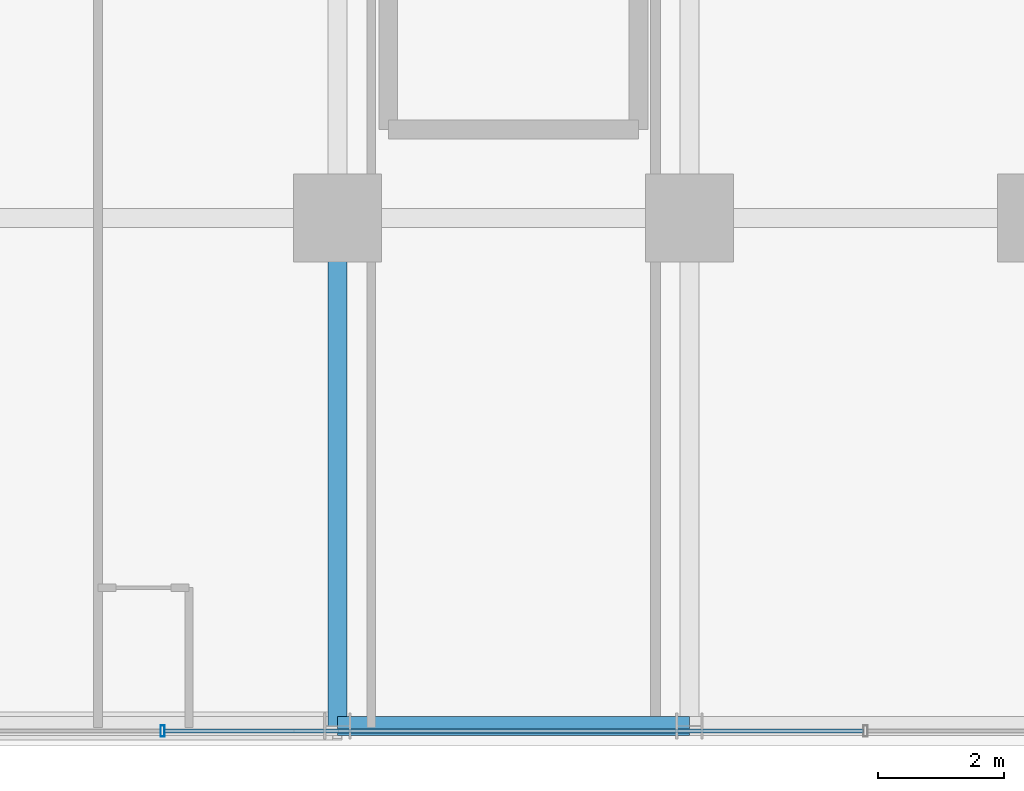
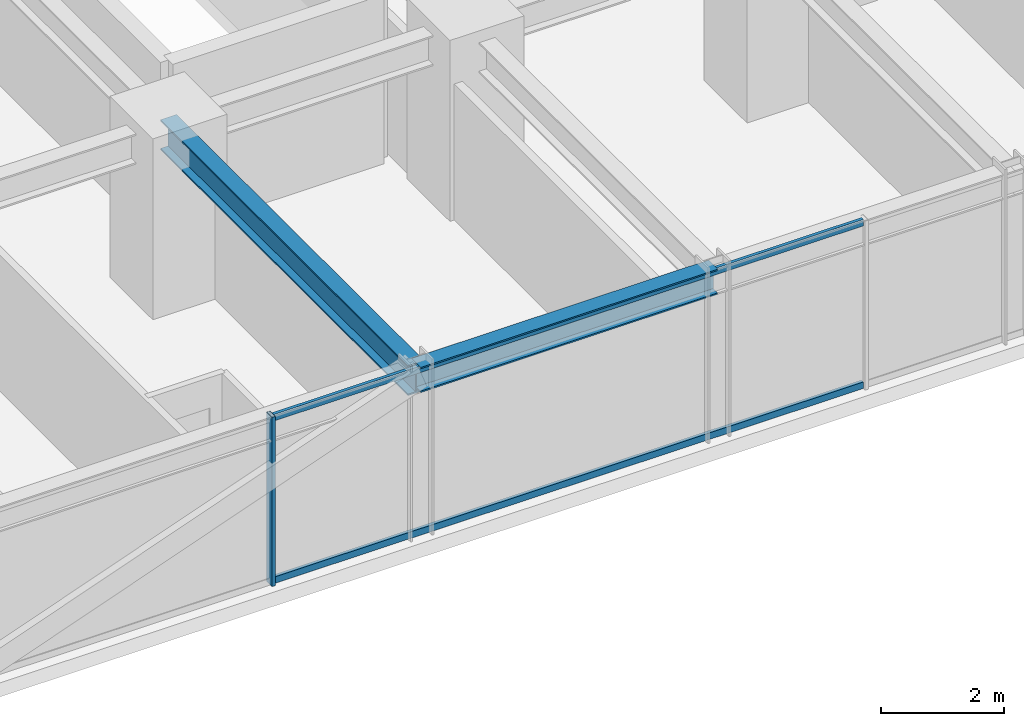
# One storey, part 7 of 36: 3 members, 2 beams, 1 element without a shape of its own.
"""IFC4 building model written with IfcOpenShell, lengths in metres."""

import ifcopenshell
import ifcopenshell.guid

model = None  # the IFC model being written
_history = None  # IfcOwnerHistory: only IFC2X3 demands one
_inside = {}  # id of a spatial element -> (the spatial element, [elements in it])
_under = {}  # id of a project, library or spatial element -> (it, [spatial elements below it])
_declared = {}  # id of a project -> (the project, [libraries it declares])
_typed = {}  # id of a type object -> (the type object, [elements of that type])
_made_of = {}  # id of a material, layer set ... -> (it, [elements and type objects made of it])


def new_model(schema):
    """Start an empty IFC model of exactly this schema.

    Asked for "IFC4X3", IfcOpenShell would pick the latest addendum, in which some entities
    have other attributes; the version numbers below select the first issue.
    IFC2X3 requires an IfcOwnerHistory on every rooted entity: one is made here for all.
    """
    global model, _history
    if schema == "IFC4X3":
        model = ifcopenshell.file(schema_version=(4, 3, 0, 0))
    else:
        model = ifcopenshell.file(schema=schema)
    _inside.clear()
    _under.clear()
    _declared.clear()
    _typed.clear()
    _made_of.clear()
    _history = None
    if model.schema == "IFC2X3":
        org = make("IfcOrganization", Name="unknown")
        user = make(
            "IfcPersonAndOrganization",
            ThePerson=make("IfcPerson", FamilyName="unknown"),
            TheOrganization=org,
        )
        app = make(
            "IfcApplication",
            ApplicationDeveloper=org,
            Version="unknown",
            ApplicationFullName="unknown",
            ApplicationIdentifier="unknown",
        )
        _history = make(
            "IfcOwnerHistory",
            OwningUser=user,
            OwningApplication=app,
            ChangeAction="ADDED",
            CreationDate=0,
        )
    return model


def make(cls, **values):
    """One entity of the class cls with the attributes given. An attribute that is None is left unset."""
    return model.create_entity(
        cls, **{name: value for name, value in values.items() if value is not None}
    )


def rooted(cls, **values):
    """An entity with a GlobalId (a new one), such as an element, a storey or a relation."""
    return make(cls, GlobalId=ifcopenshell.guid.new(), OwnerHistory=_history, **values)


def si_unit(unit_type, name, prefix=None):
    """IfcSIUnit, for example si_unit("LENGTHUNIT", "METRE", prefix="MILLI")."""
    return make("IfcSIUnit", UnitType=unit_type, Prefix=prefix, Name=name)


def assignment(units):
    """IfcUnitAssignment: the units of a project."""
    return None if units is None else make("IfcUnitAssignment", Units=units)


def point(xyz):
    """IfcCartesianPoint."""
    return None if xyz is None else make("IfcCartesianPoint", Coordinates=xyz)


def direction(xyz):
    """IfcDirection."""
    return None if xyz is None else make("IfcDirection", DirectionRatios=xyz)


def frame(location, z_axis=None, x_axis=None):
    """IfcAxis2Placement3D, a coordinate frame: its origin and axes. An axis left out is left unset."""
    return make(
        "IfcAxis2Placement3D",
        Location=point(location),
        Axis=direction(z_axis),
        RefDirection=direction(x_axis),
    )


def frame_2d(location, x_axis=None):
    """IfcAxis2Placement2D, a coordinate frame in the plane: its origin and x axis."""
    return make(
        "IfcAxis2Placement2D", Location=point(location), RefDirection=direction(x_axis)
    )


def origin():
    """The frame at (0, 0, 0) with its axes left unset."""
    return frame((0.0, 0.0, 0.0))


def origin_2d():
    """The frame at (0, 0) in the plane with its x axis left unset."""
    return frame_2d((0.0, 0.0))


def place(relative_to, where):
    """IfcLocalPlacement: puts the frame where relative to a parent placement (None: the world)."""
    return make(
        "IfcLocalPlacement", PlacementRelTo=relative_to, RelativePlacement=where
    )


def context(
    kind, dimensions, precision=None, world=None, true_north=None, identifier=None
):
    """IfcGeometricRepresentationContext, for example the 3D "Model" context."""
    return make(
        "IfcGeometricRepresentationContext",
        ContextIdentifier=identifier,
        ContextType=kind,
        CoordinateSpaceDimension=dimensions,
        Precision=precision,
        WorldCoordinateSystem=world,
        TrueNorth=true_north,
    )


def subcontext(parent, identifier, kind, view, scale=None):
    """IfcGeometricRepresentationSubContext, for example "Body" below "Model"."""
    return make(
        "IfcGeometricRepresentationSubContext",
        ContextIdentifier=identifier,
        ContextType=kind,
        ParentContext=parent,
        TargetScale=scale,
        TargetView=view,
    )


def project(units=None, contexts=None):
    """IfcProject with its units and contexts."""
    return rooted(
        "IfcProject",
        Name="project",
        RepresentationContexts=contexts,
        UnitsInContext=assignment(units),
    )


def spatial(cls, under=None, at=None, **own):
    """A site, building, storey or space (cls), placed at a placement, below another one or the project."""
    s = rooted(cls, ObjectPlacement=at, **own)
    if under is not None:
        _under.setdefault(under.id(), (under, []))[1].append(s)
    return s


def profile(cls, at=None, kind="AREA", **sizes):
    """A parametric profile (cls). Its sizes go by their IFC names, for example OverallWidth=200.0."""
    return make(cls, ProfileType=kind, Position=at, **sizes)


def hollow_rectangle(**sizes):
    """IfcRectangleHollowProfileDef."""
    return profile("IfcRectangleHollowProfileDef", **sizes)


def i_section(**sizes):
    """IfcIShapeProfileDef."""
    return profile("IfcIShapeProfileDef", **sizes)


def extrude(swept, where, along, depth):
    """IfcExtrudedAreaSolid: the profile swept, set in the frame where, extruded along a direction by depth."""
    return make(
        "IfcExtrudedAreaSolid",
        SweptArea=swept,
        Position=where,
        ExtrudedDirection=direction(along),
        Depth=depth,
    )


def shape(context_of_items, identifier, shape_type, items):
    """IfcShapeRepresentation: the items that make up one representation, for example the "Body"."""
    return make(
        "IfcShapeRepresentation",
        ContextOfItems=context_of_items,
        RepresentationIdentifier=identifier,
        RepresentationType=shape_type,
        Items=items,
    )


def source(mapping_origin, context_of_items, identifier, shape_type, items):
    """IfcRepresentationMap: a shape defined once, which mapped items show again and again."""
    return make(
        "IfcRepresentationMap",
        MappingOrigin=mapping_origin,
        MappedRepresentation=shape(context_of_items, identifier, shape_type, items),
    )


def transform(
    local_origin,
    x_axis=None,
    y_axis=None,
    z_axis=None,
    scale=None,
    scale2=None,
    scale3=None,
    uniform=True,
):
    """IfcCartesianTransformationOperator3D, or its non-uniform kind. x_axis, y_axis, z_axis: its Axis1, 2, 3."""
    if uniform:
        return make(
            "IfcCartesianTransformationOperator3D",
            Axis1=direction(x_axis),
            Axis2=direction(y_axis),
            LocalOrigin=point(local_origin),
            Scale=scale,
            Axis3=direction(z_axis),
        )
    return make(
        "IfcCartesianTransformationOperator3DnonUniform",
        Axis1=direction(x_axis),
        Axis2=direction(y_axis),
        LocalOrigin=point(local_origin),
        Scale=scale,
        Axis3=direction(z_axis),
        Scale2=scale2,
        Scale3=scale3,
    )


def mapped(mapping_source, mapping_target):
    """IfcMappedItem: shows the shape of a source again, moved by a transform."""
    return make(
        "IfcMappedItem", MappingSource=mapping_source, MappingTarget=mapping_target
    )


def material(Name=None, Category=None):
    """IfcMaterial."""
    return make("IfcMaterial", Name=Name, Category=Category)


def material_profile(
    of_material, cross_section, Name=None, Category=None, Priority=None
):
    """IfcMaterialProfile: a cross section and its material."""
    return make(
        "IfcMaterialProfile",
        Name=Name,
        Material=of_material,
        Profile=cross_section,
        Priority=Priority,
        Category=Category,
    )


def profile_set(profiles, Name=None, composite=None):
    """IfcMaterialProfileSet."""
    return make(
        "IfcMaterialProfileSet",
        Name=Name,
        MaterialProfiles=profiles,
        CompositeProfile=composite,
    )


def made_of(thing, what):
    """Note that an element or type object is made of a material, layer set ...; save() writes the relation."""
    if what is not None:
        _made_of.setdefault(what.id(), (what, []))[1].append(thing)
    return thing


def type_object(cls, material=None, **own):
    """A type object (cls), such as IfcWallType, which elements share."""
    return made_of(rooted(cls, **own), material)


def element(
    cls,
    number,
    at=None,
    inside=None,
    cuts=None,
    type_object=None,
    material=None,
    context=None,
    identifier="Body",
    shape_type=None,
    held_by="IfcProductDefinitionShape",
    body=None,
    shapes=None,
    **own,
):
    """One element of the class cls, such as IfcWall. Its Tag is "e" and its number.

    at: its placement. inside: the storey or other place that contains it. cuts: it is an
    opening in that element (IfcRelVoidsElement). A single representation is given by context,
    identifier, shape_type and body (its items); several are given by shapes. held_by: the class
    of the entity that holds the representations. save() writes the other relations.
    """
    e = rooted(cls, Tag="e%d" % number, ObjectPlacement=at, **own)
    if body is not None:
        shapes = [shape(context, identifier, shape_type, body)]
    if shapes is not None:
        e.Representation = make(held_by, Representations=shapes)
    if inside is not None:
        _inside.setdefault(inside.id(), (inside, []))[1].append(e)
    if cuts is not None:
        rooted(
            "IfcRelVoidsElement", RelatingBuildingElement=cuts, RelatedOpeningElement=e
        )
    if type_object is not None:
        _typed.setdefault(type_object.id(), (type_object, []))[1].append(e)
    return made_of(e, material)


def aggregate(whole, parts):
    """IfcRelAggregates: a whole, such as a stair, and the parts it consists of."""
    return rooted("IfcRelAggregates", RelatingObject=whole, RelatedObjects=parts)


def save(model, path):
    """Write the relations noted so far, then the file.

    IfcRelAggregates (storeys below a building ...), IfcRelContainedInSpatialStructure (elements
    in a storey), IfcRelDefinesByType, IfcRelAssociatesMaterial and IfcRelDeclares: one each for
    every whole, place, type object, material and project.
    """
    for whole, parts in _under.values():
        aggregate(whole, parts)
    for where, things in _inside.values():
        rooted(
            "IfcRelContainedInSpatialStructure",
            RelatedElements=things,
            RelatingStructure=where,
        )
    for kind, things in _typed.values():
        rooted("IfcRelDefinesByType", RelatedObjects=things, RelatingType=kind)
    for what, things in _made_of.values():
        rooted("IfcRelAssociatesMaterial", RelatedObjects=things, RelatingMaterial=what)
    for by, libraries in _declared.values():
        rooted("IfcRelDeclares", RelatingContext=by, RelatedDefinitions=libraries)
    model.write(path)


model = new_model("IFC4")

# Units and contexts
model_context = context("Model", 3, precision=1e-05, world=origin(), true_north=direction((0.0, 1.0)))
body_context = subcontext(model_context, "Body", "Model", "MODEL_VIEW")
ifc_project = project(units=[si_unit("LENGTHUNIT", "METRE"), si_unit("AREAUNIT", "SQUARE_METRE"), si_unit("VOLUMEUNIT", "CUBIC_METRE"), si_unit("PLANEANGLEUNIT", "RADIAN"), si_unit("MASSUNIT", "GRAM", prefix="KILO")], contexts=[model_context])

# Site, building, storey
site_placement = place(None, origin())
site = spatial("IfcSite", under=ifc_project, at=site_placement, CompositionType="ELEMENT")
building_placement = place(site_placement, origin())
building = spatial("IfcBuilding", under=site, at=building_placement, Name="Nahalor Promenade Grand Hotel", CompositionType="ELEMENT")
storey_placement = place(building_placement, frame((0.0, 0.0, 76.199951171875)))
storey = spatial("IfcBuildingStorey", under=building, at=storey_placement, Name="L18", CompositionType="ELEMENT", Elevation=76.199951171875)

# Beams
ifc_material_1 = material(Name="Steel S355JR", Category="steel")
ifc_material_profile_1 = material_profile(ifc_material_1, i_section(OverallWidth=0.3, OverallDepth=0.5, WebThickness=0.0145, FlangeThickness=0.028, at=origin_2d()), Name="HEB 500")
ifc_profile_set_1 = profile_set([ifc_material_profile_1], Name="Steel S355JR")
beam_type_1 = type_object("IfcBeamType", Name="Beam-Spandrel-HEB500", PredefinedType="SPANDREL", material=ifc_profile_set_1)
shared_shape_1 = source(origin(), body_context, "Body", "SweptSolid", [
    extrude(i_section(OverallWidth=0.3, OverallDepth=0.5, WebThickness=0.0145, FlangeThickness=0.028, at=origin_2d()), origin(), (0.0, 0.0, 1.0), 5.599853515625),
])
beam_1_placement = place(storey_placement, frame((-8.39990234375, -25.080078125, 3.1201171875), z_axis=(1.0, 0.0, 0.0), x_axis=(0.0, 1.0, 0.0)))
element("IfcBeam", 1, at=beam_1_placement, inside=storey, type_object=beam_type_1, Name="BM-L18-SP-S-1", PredefinedType="SPANDREL", context=body_context, shape_type="MappedRepresentation", body=[
    mapped(shared_shape_1, transform((0.0, 0.0, 0.0), scale=1.0)),
])
ifc_material_profile_2 = material_profile(ifc_material_1, i_section(OverallWidth=0.3, OverallDepth=0.6, WebThickness=0.0155, FlangeThickness=0.03, at=origin_2d()), Name="HEB 600")
ifc_profile_set_2 = profile_set([ifc_material_profile_2], Name="Steel S355JR")
beam_type_2 = type_object("IfcBeamType", Name="Beam-Girder-HEB600", PredefinedType="BEAM", material=ifc_profile_set_2)
shared_shape_2 = source(origin(), body_context, "Body", "SweptSolid", [
    extrude(i_section(OverallWidth=0.3, OverallDepth=0.6, WebThickness=0.0155, FlangeThickness=0.03, at=origin_2d()), origin(), (0.0, 0.0, 1.0), 8.080078125),
])
beam_2_placement = place(storey_placement, frame((-8.39990234375, -25.080078125, 3.070068359375), z_axis=(0.0, 1.0, 0.0), x_axis=(-1.0, 0.0, 0.0)))
element("IfcBeam", 2, at=beam_2_placement, inside=storey, type_object=beam_type_2, Name="BM-L18-GY-1-0", PredefinedType="BEAM", context=body_context, shape_type="MappedRepresentation", body=[
    mapped(shared_shape_2, transform((0.0, 0.0, 0.0), scale=1.0)),
])

# Curtain wall, members
ifc_material_2 = material(Name="Anodised Bronze Aluminium EN AW-6063 T6", Category="aluminium")
curtain_wall_type = type_object("IfcCurtainWallType", Name="CW2 Typical Hotel Flush Bronze Unitised Curtain Wall", PredefinedType="USERDEFINED", material=ifc_material_2)
curtain_wall_placement = place(storey_placement, origin())
curtain_wall = element("IfcCurtainWall", 3, at=curtain_wall_placement, inside=storey, type_object=curtain_wall_type, Name="L18 Curtain Wall CW-L18-S-1", ObjectType="UNITISED_CURTAIN_WALL", PredefinedType="USERDEFINED")
ifc_material_profile_3 = material_profile(ifc_material_2, hollow_rectangle(XDim=0.065, YDim=0.18, WallThickness=0.004, at=origin_2d()), Name="CWM 65x180x4")
ifc_profile_set_3 = profile_set([ifc_material_profile_3], Name="Anodised Bronze Aluminium EN AW-6063 T6")
member_type_1 = type_object("IfcMemberType", Name="CWM2 Typical Bronze Mullion 65x180", PredefinedType="MULLION", material=ifc_profile_set_3)
shared_shape_3 = source(origin(), body_context, "Body", "SweptSolid", [
    extrude(hollow_rectangle(XDim=0.065, YDim=0.18, WallThickness=0.004, at=origin_2d()), origin(), (0.0, 0.0, 1.0), 3.3701171875),
])
member_1_placement = place(storey_placement, frame((-11.179931640625, -25.159912109375, 0.0), z_axis=(0.0, 0.0, 1.0), x_axis=(1.0, 0.0, 0.0)))
member_1 = element("IfcMember", 4, at=member_1_placement, type_object=member_type_1, Name="CW-L18-S-1 Mullion 1", PredefinedType="MULLION", context=body_context, shape_type="MappedRepresentation", body=[
    mapped(shared_shape_3, transform((0.0, 0.0, 0.0), scale=1.0)),
])
ifc_material_profile_4 = material_profile(ifc_material_2, hollow_rectangle(XDim=0.065, YDim=0.13, WallThickness=0.004, at=origin_2d()), Name="CWT 65x130x4")
ifc_profile_set_4 = profile_set([ifc_material_profile_4], Name="Anodised Bronze Aluminium EN AW-6063 T6")
member_type_2 = type_object("IfcMemberType", Name="CWT2 Typical Bronze Transom 65x130", PredefinedType="USERDEFINED", material=ifc_profile_set_4)
shared_shape_4 = source(origin(), body_context, "Body", "SweptSolid", [
    extrude(hollow_rectangle(XDim=0.065, YDim=0.13, WallThickness=0.004, at=origin_2d()), origin(), (0.0, 0.0, 1.0), 11.114990234375),
])
member_2_placement = place(storey_placement, frame((-11.1474609375, -25.159912109375, 0.06494140625), z_axis=(1.0, 0.0, 0.0), x_axis=(0.0, 1.0, 0.0)))
member_2 = element("IfcMember", 5, at=member_2_placement, type_object=member_type_2, Name="CW-L18-S-1 Transom 1-0", ObjectType="TRANSOM", PredefinedType="USERDEFINED", context=body_context, shape_type="MappedRepresentation", body=[
    mapped(shared_shape_4, transform((0.0, 0.0, 0.0), scale=1.0)),
])
member_3_placement = place(storey_placement, frame((-11.1474609375, -25.159912109375, 3.304931640625), z_axis=(1.0, 0.0, 0.0), x_axis=(0.0, 1.0, 0.0)))
member_3 = element("IfcMember", 6, at=member_3_placement, type_object=member_type_2, Name="CW-L18-S-1 Transom 1-1", ObjectType="TRANSOM", PredefinedType="USERDEFINED", context=body_context, shape_type="MappedRepresentation", body=[
    mapped(shared_shape_4, transform((0.0, 0.0, 0.0), scale=1.0)),
])
aggregate(curtain_wall, [member_1, member_2, member_3])

save(model, "model.ifc")
